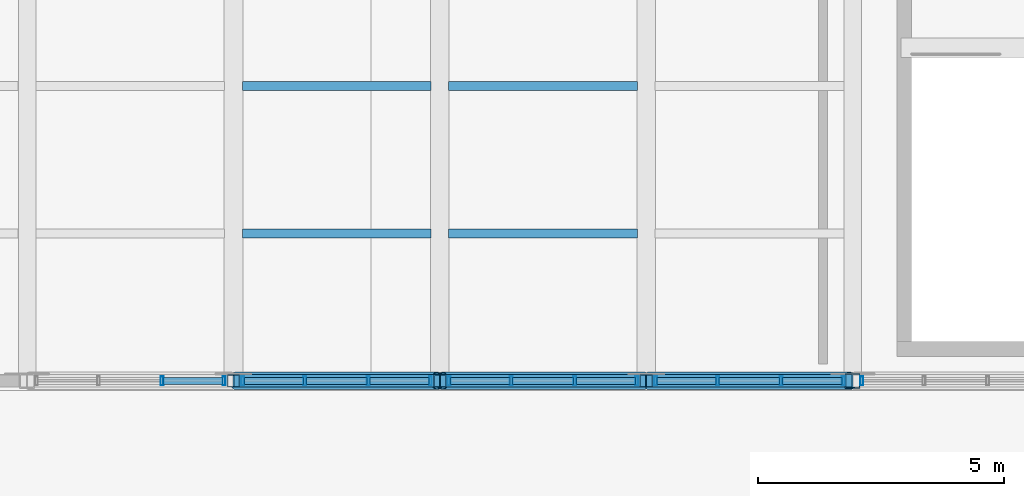
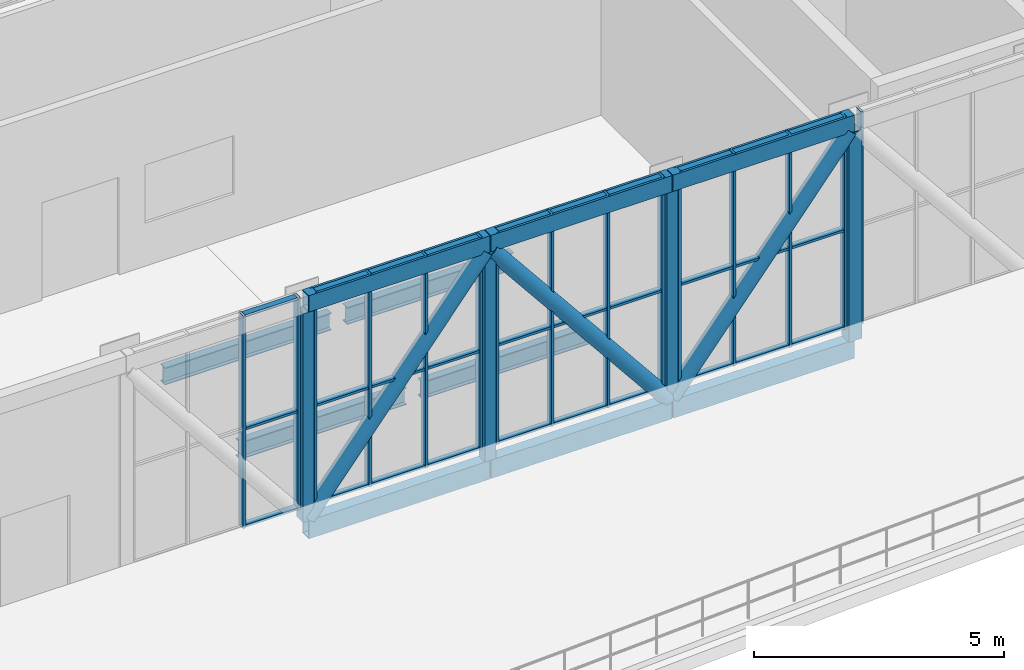
# One storey, part 17 of 58: 58 members, 4 beams, 5 elements without a shape of their own.
"""IFC4 building model written with IfcOpenShell, lengths in metres."""

from ifc_helpers import new_model, si_unit, direction, frame, origin, origin_2d, place, context, subcontext, project, spatial, hollow_rectangle, hollow_circle, i_section, extrude, material, material_profile, profile_set, type_object, element, aggregate, save


model = new_model("IFC4")

# Units and contexts
model_context = context("Model", 3, precision=1e-05, world=origin(), true_north=direction((0.0, 1.0)))
body_context = subcontext(model_context, "Body", "Model", "MODEL_VIEW")
ifc_project = project(units=[si_unit("LENGTHUNIT", "METRE"), si_unit("AREAUNIT", "SQUARE_METRE"), si_unit("VOLUMEUNIT", "CUBIC_METRE"), si_unit("PLANEANGLEUNIT", "RADIAN"), si_unit("MASSUNIT", "GRAM", prefix="KILO")], contexts=[model_context])

# Site, building, storey
site_placement = place(None, origin())
site = spatial("IfcSite", under=ifc_project, at=site_placement, CompositionType="ELEMENT")
building_placement = place(site_placement, origin())
building = spatial("IfcBuilding", under=site, at=building_placement, Name="Khurvash Pelagic Aquarium", CompositionType="ELEMENT")
storey_placement = place(building_placement, frame((0.0, 0.0, 24.60009765625)))
storey = spatial("IfcBuildingStorey", under=building, at=storey_placement, Name="L05", CompositionType="ELEMENT", Elevation=24.60009765625)

# Curtain wall, members
ifc_material_1 = material(Name="Anodised aluminium and low-E laminated glass", Category="aluminium")
curtain_wall_type = type_object("IfcCurtainWallType", Name="CW-01", PredefinedType="USERDEFINED", material=ifc_material_1)
curtain_wall_1_placement = place(storey_placement, origin())
curtain_wall_1 = element("IfcCurtainWall", 1, at=curtain_wall_1_placement, inside=storey, type_object=curtain_wall_type, Name="L05 South Sky-Bar Unitised Curtain Wall CW-01 P08", ObjectType="UNITISED CURTAIN WALL", PredefinedType="USERDEFINED")
ifc_material_2 = material(Name="Extruded aluminium AW-6063-T6", Category="aluminium")
ifc_material_profile_1 = material_profile(ifc_material_2, hollow_rectangle(XDim=0.06005859375, YDim=0.179931640625, WallThickness=0.00390625, at=origin_2d()), Name="CWM60X180X4")
ifc_profile_set_1 = profile_set([ifc_material_profile_1], Name="Extruded aluminium AW-6063-T6")
member_type_1 = type_object("IfcMemberType", Name="CM-01", PredefinedType="MULLION", material=ifc_profile_set_1)
member_1_placement = place(storey_placement, frame((44.74658203125, 11.64990234375, 0.0), z_axis=(0.0, 0.0, 1.0), x_axis=(1.0, 0.0, 0.0)))
member_1 = element("IfcMember", 2, at=member_1_placement, type_object=member_type_1, Name="CW-01 mullion 3", PredefinedType="MULLION", context=body_context, shape_type="SweptSolid", body=[
    extrude(hollow_rectangle(XDim=0.06005859375, YDim=0.179931640625, WallThickness=0.00390625, at=origin_2d()), origin(), (0.0, 0.0, 1.0), 5.179931640625),
])
member_2_placement = place(storey_placement, frame((46.010009765625, 11.64990234375, 0.0), z_axis=(0.0, 0.0, 1.0), x_axis=(1.0, 0.0, 0.0)))
member_2 = element("IfcMember", 3, at=member_2_placement, type_object=member_type_1, Name="CW-01 mullion 4", PredefinedType="MULLION", context=body_context, shape_type="SweptSolid", body=[
    extrude(hollow_rectangle(XDim=0.06005859375, YDim=0.179931640625, WallThickness=0.00390625, at=origin_2d()), origin(), (0.0, 0.0, 1.0), 5.179931640625),
])

curtain_wall_2_placement = place(storey_placement, origin())
curtain_wall_2 = element("IfcCurtainWall", 4, at=curtain_wall_2_placement, inside=storey, type_object=curtain_wall_type, Name="L05 South Sky-Bar Unitised Curtain Wall CW-01 P09", ObjectType="UNITISED CURTAIN WALL", PredefinedType="USERDEFINED")
member_3_placement = place(storey_placement, frame((46.389892578125, 11.64990234375, 0.0), z_axis=(0.0, 0.0, 1.0), x_axis=(1.0, 0.0, 0.0)))
member_3 = element("IfcMember", 5, at=member_3_placement, type_object=member_type_1, Name="CW-01 mullion 1", PredefinedType="MULLION", context=body_context, shape_type="SweptSolid", body=[
    extrude(hollow_rectangle(XDim=0.06005859375, YDim=0.179931640625, WallThickness=0.00390625, at=origin_2d()), origin(), (0.0, 0.0, 1.0), 5.179931640625),
])
member_4_placement = place(storey_placement, frame((47.6533203125, 11.64990234375, 0.0), z_axis=(0.0, 0.0, 1.0), x_axis=(1.0, 0.0, 0.0)))
member_4 = element("IfcMember", 6, at=member_4_placement, type_object=member_type_1, Name="CW-01 mullion 2", PredefinedType="MULLION", context=body_context, shape_type="SweptSolid", body=[
    extrude(hollow_rectangle(XDim=0.06005859375, YDim=0.179931640625, WallThickness=0.00390625, at=origin_2d()), origin(), (0.0, 0.0, 1.0), 5.179931640625),
])
member_5_placement = place(storey_placement, frame((48.94677734375, 11.64990234375, 0.0), z_axis=(0.0, 0.0, 1.0), x_axis=(1.0, 0.0, 0.0)))
member_5 = element("IfcMember", 7, at=member_5_placement, type_object=member_type_1, Name="CW-01 mullion 3", PredefinedType="MULLION", context=body_context, shape_type="SweptSolid", body=[
    extrude(hollow_rectangle(XDim=0.06005859375, YDim=0.179931640625, WallThickness=0.00390625, at=origin_2d()), origin(), (0.0, 0.0, 1.0), 5.179931640625),
])
member_6_placement = place(storey_placement, frame((50.2099609375, 11.64990234375, 0.0), z_axis=(0.0, 0.0, 1.0), x_axis=(1.0, 0.0, 0.0)))
member_6 = element("IfcMember", 8, at=member_6_placement, type_object=member_type_1, Name="CW-01 mullion 4", PredefinedType="MULLION", context=body_context, shape_type="SweptSolid", body=[
    extrude(hollow_rectangle(XDim=0.06005859375, YDim=0.179931640625, WallThickness=0.00390625, at=origin_2d()), origin(), (0.0, 0.0, 1.0), 5.179931640625),
])

curtain_wall_3_placement = place(storey_placement, origin())
curtain_wall_3 = element("IfcCurtainWall", 9, at=curtain_wall_3_placement, inside=storey, type_object=curtain_wall_type, Name="L05 South Sky-Bar Unitised Curtain Wall CW-01 P10", ObjectType="UNITISED CURTAIN WALL", PredefinedType="USERDEFINED")
member_7_placement = place(storey_placement, frame((50.590087890625, 11.64990234375, 0.0), z_axis=(0.0, 0.0, 1.0), x_axis=(1.0, 0.0, 0.0)))
member_7 = element("IfcMember", 10, at=member_7_placement, type_object=member_type_1, Name="CW-01 mullion 1", PredefinedType="MULLION", context=body_context, shape_type="SweptSolid", body=[
    extrude(hollow_rectangle(XDim=0.06005859375, YDim=0.179931640625, WallThickness=0.00390625, at=origin_2d()), origin(), (0.0, 0.0, 1.0), 5.179931640625),
])
member_8_placement = place(storey_placement, frame((51.853271484375, 11.64990234375, 0.0), z_axis=(0.0, 0.0, 1.0), x_axis=(1.0, 0.0, 0.0)))
member_8 = element("IfcMember", 11, at=member_8_placement, type_object=member_type_1, Name="CW-01 mullion 2", PredefinedType="MULLION", context=body_context, shape_type="SweptSolid", body=[
    extrude(hollow_rectangle(XDim=0.06005859375, YDim=0.179931640625, WallThickness=0.00390625, at=origin_2d()), origin(), (0.0, 0.0, 1.0), 5.179931640625),
])
member_9_placement = place(storey_placement, frame((53.146728515625, 11.64990234375, 0.0), z_axis=(0.0, 0.0, 1.0), x_axis=(1.0, 0.0, 0.0)))
member_9 = element("IfcMember", 12, at=member_9_placement, type_object=member_type_1, Name="CW-01 mullion 3", PredefinedType="MULLION", context=body_context, shape_type="SweptSolid", body=[
    extrude(hollow_rectangle(XDim=0.06005859375, YDim=0.179931640625, WallThickness=0.00390625, at=origin_2d()), origin(), (0.0, 0.0, 1.0), 5.179931640625),
])
member_10_placement = place(storey_placement, frame((54.409912109375, 11.64990234375, 0.0), z_axis=(0.0, 0.0, 1.0), x_axis=(1.0, 0.0, 0.0)))
member_10 = element("IfcMember", 13, at=member_10_placement, type_object=member_type_1, Name="CW-01 mullion 4", PredefinedType="MULLION", context=body_context, shape_type="SweptSolid", body=[
    extrude(hollow_rectangle(XDim=0.06005859375, YDim=0.179931640625, WallThickness=0.00390625, at=origin_2d()), origin(), (0.0, 0.0, 1.0), 5.179931640625),
])

curtain_wall_4_placement = place(storey_placement, origin())
curtain_wall_4 = element("IfcCurtainWall", 14, at=curtain_wall_4_placement, inside=storey, type_object=curtain_wall_type, Name="L05 South Sky-Bar Unitised Curtain Wall CW-01 P11", ObjectType="UNITISED CURTAIN WALL", PredefinedType="USERDEFINED")
member_11_placement = place(storey_placement, frame((54.7900390625, 11.64990234375, 0.0), z_axis=(0.0, 0.0, 1.0), x_axis=(1.0, 0.0, 0.0)))
member_11 = element("IfcMember", 15, at=member_11_placement, type_object=member_type_1, Name="CW-01 mullion 1", PredefinedType="MULLION", context=body_context, shape_type="SweptSolid", body=[
    extrude(hollow_rectangle(XDim=0.06005859375, YDim=0.179931640625, WallThickness=0.00390625, at=origin_2d()), origin(), (0.0, 0.0, 1.0), 5.179931640625),
])
member_12_placement = place(storey_placement, frame((56.05322265625, 11.64990234375, 0.0), z_axis=(0.0, 0.0, 1.0), x_axis=(1.0, 0.0, 0.0)))
member_12 = element("IfcMember", 16, at=member_12_placement, type_object=member_type_1, Name="CW-01 mullion 2", PredefinedType="MULLION", context=body_context, shape_type="SweptSolid", body=[
    extrude(hollow_rectangle(XDim=0.06005859375, YDim=0.179931640625, WallThickness=0.00390625, at=origin_2d()), origin(), (0.0, 0.0, 1.0), 5.179931640625),
])
member_13_placement = place(storey_placement, frame((57.3466796875, 11.64990234375, 0.0), z_axis=(0.0, 0.0, 1.0), x_axis=(1.0, 0.0, 0.0)))
member_13 = element("IfcMember", 17, at=member_13_placement, type_object=member_type_1, Name="CW-01 mullion 3", PredefinedType="MULLION", context=body_context, shape_type="SweptSolid", body=[
    extrude(hollow_rectangle(XDim=0.06005859375, YDim=0.179931640625, WallThickness=0.00390625, at=origin_2d()), origin(), (0.0, 0.0, 1.0), 5.179931640625),
])
member_14_placement = place(storey_placement, frame((58.610107421875, 11.64990234375, 0.0), z_axis=(0.0, 0.0, 1.0), x_axis=(1.0, 0.0, 0.0)))
member_14 = element("IfcMember", 18, at=member_14_placement, type_object=member_type_1, Name="CW-01 mullion 4", PredefinedType="MULLION", context=body_context, shape_type="SweptSolid", body=[
    extrude(hollow_rectangle(XDim=0.06005859375, YDim=0.179931640625, WallThickness=0.00390625, at=origin_2d()), origin(), (0.0, 0.0, 1.0), 5.179931640625),
])

# Curtain wall, member
curtain_wall_5_placement = place(storey_placement, origin())
curtain_wall_5 = element("IfcCurtainWall", 19, at=curtain_wall_5_placement, inside=storey, type_object=curtain_wall_type, Name="L05 South Sky-Bar Unitised Curtain Wall CW-01 P12", ObjectType="UNITISED CURTAIN WALL", PredefinedType="USERDEFINED")
member_15_placement = place(storey_placement, frame((58.989990234375, 11.64990234375, 0.0), z_axis=(0.0, 0.0, 1.0), x_axis=(1.0, 0.0, 0.0)))
member_15 = element("IfcMember", 20, at=member_15_placement, type_object=member_type_1, Name="CW-01 mullion 1", PredefinedType="MULLION", context=body_context, shape_type="SweptSolid", body=[
    extrude(hollow_rectangle(XDim=0.06005859375, YDim=0.179931640625, WallThickness=0.00390625, at=origin_2d()), origin(), (0.0, 0.0, 1.0), 5.179931640625),
])
aggregate(curtain_wall_5, [member_15])

# Member
ifc_material_profile_2 = material_profile(ifc_material_2, hollow_rectangle(XDim=0.139892578125, YDim=0.06005859375, WallThickness=0.00390625, at=origin_2d()), Name="CWT140X60X4")
ifc_profile_set_2 = profile_set([ifc_material_profile_2], Name="Extruded aluminium AW-6063-T6")
member_type_2 = type_object("IfcMemberType", Name="CT-01", PredefinedType="USERDEFINED", material=ifc_profile_set_2)
member_16_placement = place(storey_placement, frame((44.776611328125, 11.64990234375, 0.02978515625), z_axis=(1.0, 0.0, 0.0), x_axis=(0.0, 1.0, 0.0)))
member_16 = element("IfcMember", 21, at=member_16_placement, type_object=member_type_2, Name="CW-01 transom 3.1", ObjectType="TRANSOM", PredefinedType="USERDEFINED", context=body_context, shape_type="SweptSolid", body=[
    extrude(hollow_rectangle(XDim=0.139892578125, YDim=0.06005859375, WallThickness=0.00390625, at=origin_2d()), origin(), (0.0, 0.0, 1.0), 1.203369140625),
])

member_17_placement = place(storey_placement, frame((44.776611328125, 11.64990234375, 2.39990234375), z_axis=(1.0, 0.0, 0.0), x_axis=(0.0, 1.0, 0.0)))
member_17 = element("IfcMember", 22, at=member_17_placement, type_object=member_type_2, Name="CW-01 transom 3.2", ObjectType="TRANSOM", PredefinedType="USERDEFINED", context=body_context, shape_type="SweptSolid", body=[
    extrude(hollow_rectangle(XDim=0.139892578125, YDim=0.06005859375, WallThickness=0.00390625, at=origin_2d()), origin(), (0.0, 0.0, 1.0), 1.203369140625),
])

member_18_placement = place(storey_placement, frame((44.776611328125, 11.64990234375, 5.14990234375), z_axis=(1.0, 0.0, 0.0), x_axis=(0.0, 1.0, 0.0)))
member_18 = element("IfcMember", 23, at=member_18_placement, type_object=member_type_2, Name="CW-01 transom 3.3", ObjectType="TRANSOM", PredefinedType="USERDEFINED", context=body_context, shape_type="SweptSolid", body=[
    extrude(hollow_rectangle(XDim=0.139892578125, YDim=0.06005859375, WallThickness=0.00390625, at=origin_2d()), origin(), (0.0, 0.0, 1.0), 1.203369140625),
])

aggregate(curtain_wall_1, [member_1, member_2, member_16, member_17, member_18])

member_19_placement = place(storey_placement, frame((46.419921875, 11.64990234375, 0.02978515625), z_axis=(1.0, 0.0, 0.0), x_axis=(0.0, 1.0, 0.0)))
member_19 = element("IfcMember", 24, at=member_19_placement, type_object=member_type_2, Name="CW-01 transom 1.1", ObjectType="TRANSOM", PredefinedType="USERDEFINED", context=body_context, shape_type="SweptSolid", body=[
    extrude(hollow_rectangle(XDim=0.139892578125, YDim=0.06005859375, WallThickness=0.00390625, at=origin_2d()), origin(), (0.0, 0.0, 1.0), 1.203369140625),
])

member_20_placement = place(storey_placement, frame((46.419921875, 11.64990234375, 2.39990234375), z_axis=(1.0, 0.0, 0.0), x_axis=(0.0, 1.0, 0.0)))
member_20 = element("IfcMember", 25, at=member_20_placement, type_object=member_type_2, Name="CW-01 transom 1.2", ObjectType="TRANSOM", PredefinedType="USERDEFINED", context=body_context, shape_type="SweptSolid", body=[
    extrude(hollow_rectangle(XDim=0.139892578125, YDim=0.06005859375, WallThickness=0.00390625, at=origin_2d()), origin(), (0.0, 0.0, 1.0), 1.203369140625),
])

member_21_placement = place(storey_placement, frame((46.419921875, 11.64990234375, 5.14990234375), z_axis=(1.0, 0.0, 0.0), x_axis=(0.0, 1.0, 0.0)))
member_21 = element("IfcMember", 26, at=member_21_placement, type_object=member_type_2, Name="CW-01 transom 1.3", ObjectType="TRANSOM", PredefinedType="USERDEFINED", context=body_context, shape_type="SweptSolid", body=[
    extrude(hollow_rectangle(XDim=0.139892578125, YDim=0.06005859375, WallThickness=0.00390625, at=origin_2d()), origin(), (0.0, 0.0, 1.0), 1.203369140625),
])

member_22_placement = place(storey_placement, frame((47.683349609375, 11.64990234375, 0.02978515625), z_axis=(1.0, 0.0, 0.0), x_axis=(0.0, 1.0, 0.0)))
member_22 = element("IfcMember", 27, at=member_22_placement, type_object=member_type_2, Name="CW-01 transom 2.1", ObjectType="TRANSOM", PredefinedType="USERDEFINED", context=body_context, shape_type="SweptSolid", body=[
    extrude(hollow_rectangle(XDim=0.139892578125, YDim=0.06005859375, WallThickness=0.00390625, at=origin_2d()), origin(), (0.0, 0.0, 1.0), 1.2333984375),
])

member_23_placement = place(storey_placement, frame((47.683349609375, 11.64990234375, 2.39990234375), z_axis=(1.0, 0.0, 0.0), x_axis=(0.0, 1.0, 0.0)))
member_23 = element("IfcMember", 28, at=member_23_placement, type_object=member_type_2, Name="CW-01 transom 2.2", ObjectType="TRANSOM", PredefinedType="USERDEFINED", context=body_context, shape_type="SweptSolid", body=[
    extrude(hollow_rectangle(XDim=0.139892578125, YDim=0.06005859375, WallThickness=0.00390625, at=origin_2d()), origin(), (0.0, 0.0, 1.0), 1.2333984375),
])

member_24_placement = place(storey_placement, frame((47.683349609375, 11.64990234375, 5.14990234375), z_axis=(1.0, 0.0, 0.0), x_axis=(0.0, 1.0, 0.0)))
member_24 = element("IfcMember", 29, at=member_24_placement, type_object=member_type_2, Name="CW-01 transom 2.3", ObjectType="TRANSOM", PredefinedType="USERDEFINED", context=body_context, shape_type="SweptSolid", body=[
    extrude(hollow_rectangle(XDim=0.139892578125, YDim=0.06005859375, WallThickness=0.00390625, at=origin_2d()), origin(), (0.0, 0.0, 1.0), 1.2333984375),
])

member_25_placement = place(storey_placement, frame((48.9765625, 11.64990234375, 0.02978515625), z_axis=(1.0, 0.0, 0.0), x_axis=(0.0, 1.0, 0.0)))
member_25 = element("IfcMember", 30, at=member_25_placement, type_object=member_type_2, Name="CW-01 transom 3.1", ObjectType="TRANSOM", PredefinedType="USERDEFINED", context=body_context, shape_type="SweptSolid", body=[
    extrude(hollow_rectangle(XDim=0.139892578125, YDim=0.06005859375, WallThickness=0.00390625, at=origin_2d()), origin(), (0.0, 0.0, 1.0), 1.203369140625),
])

member_26_placement = place(storey_placement, frame((48.9765625, 11.64990234375, 2.39990234375), z_axis=(1.0, 0.0, 0.0), x_axis=(0.0, 1.0, 0.0)))
member_26 = element("IfcMember", 31, at=member_26_placement, type_object=member_type_2, Name="CW-01 transom 3.2", ObjectType="TRANSOM", PredefinedType="USERDEFINED", context=body_context, shape_type="SweptSolid", body=[
    extrude(hollow_rectangle(XDim=0.139892578125, YDim=0.06005859375, WallThickness=0.00390625, at=origin_2d()), origin(), (0.0, 0.0, 1.0), 1.203369140625),
])

member_27_placement = place(storey_placement, frame((48.9765625, 11.64990234375, 5.14990234375), z_axis=(1.0, 0.0, 0.0), x_axis=(0.0, 1.0, 0.0)))
member_27 = element("IfcMember", 32, at=member_27_placement, type_object=member_type_2, Name="CW-01 transom 3.3", ObjectType="TRANSOM", PredefinedType="USERDEFINED", context=body_context, shape_type="SweptSolid", body=[
    extrude(hollow_rectangle(XDim=0.139892578125, YDim=0.06005859375, WallThickness=0.00390625, at=origin_2d()), origin(), (0.0, 0.0, 1.0), 1.203369140625),
])

aggregate(curtain_wall_2, [member_3, member_4, member_5, member_6, member_19, member_20, member_21, member_22, member_23, member_24, member_25, member_26, member_27])

member_28_placement = place(storey_placement, frame((50.6201171875, 11.64990234375, 0.02978515625), z_axis=(1.0, 0.0, 0.0), x_axis=(0.0, 1.0, 0.0)))
member_28 = element("IfcMember", 33, at=member_28_placement, type_object=member_type_2, Name="CW-01 transom 1.1", ObjectType="TRANSOM", PredefinedType="USERDEFINED", context=body_context, shape_type="SweptSolid", body=[
    extrude(hollow_rectangle(XDim=0.139892578125, YDim=0.06005859375, WallThickness=0.00390625, at=origin_2d()), origin(), (0.0, 0.0, 1.0), 1.203125),
])

member_29_placement = place(storey_placement, frame((50.6201171875, 11.64990234375, 2.39990234375), z_axis=(1.0, 0.0, 0.0), x_axis=(0.0, 1.0, 0.0)))
member_29 = element("IfcMember", 34, at=member_29_placement, type_object=member_type_2, Name="CW-01 transom 1.2", ObjectType="TRANSOM", PredefinedType="USERDEFINED", context=body_context, shape_type="SweptSolid", body=[
    extrude(hollow_rectangle(XDim=0.139892578125, YDim=0.06005859375, WallThickness=0.00390625, at=origin_2d()), origin(), (0.0, 0.0, 1.0), 1.203125),
])

member_30_placement = place(storey_placement, frame((50.6201171875, 11.64990234375, 5.14990234375), z_axis=(1.0, 0.0, 0.0), x_axis=(0.0, 1.0, 0.0)))
member_30 = element("IfcMember", 35, at=member_30_placement, type_object=member_type_2, Name="CW-01 transom 1.3", ObjectType="TRANSOM", PredefinedType="USERDEFINED", context=body_context, shape_type="SweptSolid", body=[
    extrude(hollow_rectangle(XDim=0.139892578125, YDim=0.06005859375, WallThickness=0.00390625, at=origin_2d()), origin(), (0.0, 0.0, 1.0), 1.203125),
])

member_31_placement = place(storey_placement, frame((51.88330078125, 11.64990234375, 0.02978515625), z_axis=(1.0, 0.0, 0.0), x_axis=(0.0, 1.0, 0.0)))
member_31 = element("IfcMember", 36, at=member_31_placement, type_object=member_type_2, Name="CW-01 transom 2.1", ObjectType="TRANSOM", PredefinedType="USERDEFINED", context=body_context, shape_type="SweptSolid", body=[
    extrude(hollow_rectangle(XDim=0.139892578125, YDim=0.06005859375, WallThickness=0.00390625, at=origin_2d()), origin(), (0.0, 0.0, 1.0), 1.2333984375),
])

member_32_placement = place(storey_placement, frame((51.88330078125, 11.64990234375, 2.39990234375), z_axis=(1.0, 0.0, 0.0), x_axis=(0.0, 1.0, 0.0)))
member_32 = element("IfcMember", 37, at=member_32_placement, type_object=member_type_2, Name="CW-01 transom 2.2", ObjectType="TRANSOM", PredefinedType="USERDEFINED", context=body_context, shape_type="SweptSolid", body=[
    extrude(hollow_rectangle(XDim=0.139892578125, YDim=0.06005859375, WallThickness=0.00390625, at=origin_2d()), origin(), (0.0, 0.0, 1.0), 1.2333984375),
])

member_33_placement = place(storey_placement, frame((51.88330078125, 11.64990234375, 5.14990234375), z_axis=(1.0, 0.0, 0.0), x_axis=(0.0, 1.0, 0.0)))
member_33 = element("IfcMember", 38, at=member_33_placement, type_object=member_type_2, Name="CW-01 transom 2.3", ObjectType="TRANSOM", PredefinedType="USERDEFINED", context=body_context, shape_type="SweptSolid", body=[
    extrude(hollow_rectangle(XDim=0.139892578125, YDim=0.06005859375, WallThickness=0.00390625, at=origin_2d()), origin(), (0.0, 0.0, 1.0), 1.2333984375),
])

member_34_placement = place(storey_placement, frame((53.1767578125, 11.64990234375, 0.02978515625), z_axis=(1.0, 0.0, 0.0), x_axis=(0.0, 1.0, 0.0)))
member_34 = element("IfcMember", 39, at=member_34_placement, type_object=member_type_2, Name="CW-01 transom 3.1", ObjectType="TRANSOM", PredefinedType="USERDEFINED", context=body_context, shape_type="SweptSolid", body=[
    extrude(hollow_rectangle(XDim=0.139892578125, YDim=0.06005859375, WallThickness=0.00390625, at=origin_2d()), origin(), (0.0, 0.0, 1.0), 1.203125),
])

member_35_placement = place(storey_placement, frame((53.1767578125, 11.64990234375, 2.39990234375), z_axis=(1.0, 0.0, 0.0), x_axis=(0.0, 1.0, 0.0)))
member_35 = element("IfcMember", 40, at=member_35_placement, type_object=member_type_2, Name="CW-01 transom 3.2", ObjectType="TRANSOM", PredefinedType="USERDEFINED", context=body_context, shape_type="SweptSolid", body=[
    extrude(hollow_rectangle(XDim=0.139892578125, YDim=0.06005859375, WallThickness=0.00390625, at=origin_2d()), origin(), (0.0, 0.0, 1.0), 1.203125),
])

member_36_placement = place(storey_placement, frame((53.1767578125, 11.64990234375, 5.14990234375), z_axis=(1.0, 0.0, 0.0), x_axis=(0.0, 1.0, 0.0)))
member_36 = element("IfcMember", 41, at=member_36_placement, type_object=member_type_2, Name="CW-01 transom 3.3", ObjectType="TRANSOM", PredefinedType="USERDEFINED", context=body_context, shape_type="SweptSolid", body=[
    extrude(hollow_rectangle(XDim=0.139892578125, YDim=0.06005859375, WallThickness=0.00390625, at=origin_2d()), origin(), (0.0, 0.0, 1.0), 1.203125),
])

aggregate(curtain_wall_3, [member_7, member_8, member_9, member_10, member_28, member_29, member_30, member_31, member_32, member_33, member_34, member_35, member_36])

member_37_placement = place(storey_placement, frame((54.820068359375, 11.64990234375, 0.02978515625), z_axis=(1.0, 0.0, 0.0), x_axis=(0.0, 1.0, 0.0)))
member_37 = element("IfcMember", 42, at=member_37_placement, type_object=member_type_2, Name="CW-01 transom 1.1", ObjectType="TRANSOM", PredefinedType="USERDEFINED", context=body_context, shape_type="SweptSolid", body=[
    extrude(hollow_rectangle(XDim=0.139892578125, YDim=0.06005859375, WallThickness=0.00390625, at=origin_2d()), origin(), (0.0, 0.0, 1.0), 1.203369140625),
])

member_38_placement = place(storey_placement, frame((54.820068359375, 11.64990234375, 2.39990234375), z_axis=(1.0, 0.0, 0.0), x_axis=(0.0, 1.0, 0.0)))
member_38 = element("IfcMember", 43, at=member_38_placement, type_object=member_type_2, Name="CW-01 transom 1.2", ObjectType="TRANSOM", PredefinedType="USERDEFINED", context=body_context, shape_type="SweptSolid", body=[
    extrude(hollow_rectangle(XDim=0.139892578125, YDim=0.06005859375, WallThickness=0.00390625, at=origin_2d()), origin(), (0.0, 0.0, 1.0), 1.203369140625),
])

member_39_placement = place(storey_placement, frame((54.820068359375, 11.64990234375, 5.14990234375), z_axis=(1.0, 0.0, 0.0), x_axis=(0.0, 1.0, 0.0)))
member_39 = element("IfcMember", 44, at=member_39_placement, type_object=member_type_2, Name="CW-01 transom 1.3", ObjectType="TRANSOM", PredefinedType="USERDEFINED", context=body_context, shape_type="SweptSolid", body=[
    extrude(hollow_rectangle(XDim=0.139892578125, YDim=0.06005859375, WallThickness=0.00390625, at=origin_2d()), origin(), (0.0, 0.0, 1.0), 1.203369140625),
])

member_40_placement = place(storey_placement, frame((56.083251953125, 11.64990234375, 0.02978515625), z_axis=(1.0, 0.0, 0.0), x_axis=(0.0, 1.0, 0.0)))
member_40 = element("IfcMember", 45, at=member_40_placement, type_object=member_type_2, Name="CW-01 transom 2.1", ObjectType="TRANSOM", PredefinedType="USERDEFINED", context=body_context, shape_type="SweptSolid", body=[
    extrude(hollow_rectangle(XDim=0.139892578125, YDim=0.06005859375, WallThickness=0.00390625, at=origin_2d()), origin(), (0.0, 0.0, 1.0), 1.2333984375),
])

member_41_placement = place(storey_placement, frame((56.083251953125, 11.64990234375, 2.39990234375), z_axis=(1.0, 0.0, 0.0), x_axis=(0.0, 1.0, 0.0)))
member_41 = element("IfcMember", 46, at=member_41_placement, type_object=member_type_2, Name="CW-01 transom 2.2", ObjectType="TRANSOM", PredefinedType="USERDEFINED", context=body_context, shape_type="SweptSolid", body=[
    extrude(hollow_rectangle(XDim=0.139892578125, YDim=0.06005859375, WallThickness=0.00390625, at=origin_2d()), origin(), (0.0, 0.0, 1.0), 1.2333984375),
])

member_42_placement = place(storey_placement, frame((56.083251953125, 11.64990234375, 5.14990234375), z_axis=(1.0, 0.0, 0.0), x_axis=(0.0, 1.0, 0.0)))
member_42 = element("IfcMember", 47, at=member_42_placement, type_object=member_type_2, Name="CW-01 transom 2.3", ObjectType="TRANSOM", PredefinedType="USERDEFINED", context=body_context, shape_type="SweptSolid", body=[
    extrude(hollow_rectangle(XDim=0.139892578125, YDim=0.06005859375, WallThickness=0.00390625, at=origin_2d()), origin(), (0.0, 0.0, 1.0), 1.2333984375),
])

member_43_placement = place(storey_placement, frame((57.376708984375, 11.64990234375, 0.02978515625), z_axis=(1.0, 0.0, 0.0), x_axis=(0.0, 1.0, 0.0)))
member_43 = element("IfcMember", 48, at=member_43_placement, type_object=member_type_2, Name="CW-01 transom 3.1", ObjectType="TRANSOM", PredefinedType="USERDEFINED", context=body_context, shape_type="SweptSolid", body=[
    extrude(hollow_rectangle(XDim=0.139892578125, YDim=0.06005859375, WallThickness=0.00390625, at=origin_2d()), origin(), (0.0, 0.0, 1.0), 1.203369140625),
])

member_44_placement = place(storey_placement, frame((57.376708984375, 11.64990234375, 2.39990234375), z_axis=(1.0, 0.0, 0.0), x_axis=(0.0, 1.0, 0.0)))
member_44 = element("IfcMember", 49, at=member_44_placement, type_object=member_type_2, Name="CW-01 transom 3.2", ObjectType="TRANSOM", PredefinedType="USERDEFINED", context=body_context, shape_type="SweptSolid", body=[
    extrude(hollow_rectangle(XDim=0.139892578125, YDim=0.06005859375, WallThickness=0.00390625, at=origin_2d()), origin(), (0.0, 0.0, 1.0), 1.203369140625),
])

member_45_placement = place(storey_placement, frame((57.376708984375, 11.64990234375, 5.14990234375), z_axis=(1.0, 0.0, 0.0), x_axis=(0.0, 1.0, 0.0)))
member_45 = element("IfcMember", 50, at=member_45_placement, type_object=member_type_2, Name="CW-01 transom 3.3", ObjectType="TRANSOM", PredefinedType="USERDEFINED", context=body_context, shape_type="SweptSolid", body=[
    extrude(hollow_rectangle(XDim=0.139892578125, YDim=0.06005859375, WallThickness=0.00390625, at=origin_2d()), origin(), (0.0, 0.0, 1.0), 1.203369140625),
])

aggregate(curtain_wall_4, [member_11, member_12, member_13, member_14, member_37, member_38, member_39, member_40, member_41, member_42, member_43, member_44, member_45])

# Beams
ifc_material_3 = material(Name="Steel ASTM A992 Grade 50", Category="steel")
ifc_material_profile_3 = material_profile(ifc_material_3, i_section(OverallWidth=0.180908203125, OverallDepth=0.4169921875, WebThickness=0.010986328125, FlangeThickness=0.018310546875, at=origin_2d()), Name="W16X57")
ifc_profile_set_3 = profile_set([ifc_material_profile_3], Name="Steel ASTM A992 Grade 50")
beam_type = type_object("IfcBeamType", Name="JS-03", PredefinedType="JOIST", material=ifc_profile_set_3)
for number, where, z_axis, x_axis, name in (
    (51, (46.3798828125, 14.64990234375, -0.508544921875), (1.0, 0.0, 0.0), (0.0, 1.0, 0.0), "L05 Sky-Bar Floor Joist JS-03 P09"),
    (52, (46.3798828125, 17.64990234375, -0.508544921875), (1.0, 0.0, 0.0), (0.0, 1.0, 0.0), "L05 Sky-Bar Floor Joist JS-03 P09"),
):
    element("IfcBeam", number, at=place(storey_placement, frame(where, z_axis=z_axis, x_axis=x_axis)), inside=storey, type_object=beam_type, Name=name, PredefinedType="JOIST", context=body_context, shape_type="SweptSolid", body=[
        extrude(i_section(OverallWidth=0.180908203125, OverallDepth=0.4169921875, WebThickness=0.010986328125, FlangeThickness=0.018310546875, at=origin_2d()), origin(), (0.0, 0.0, 1.0), 3.840087890625),
    ])
for number, where, z_axis, x_axis, name in (
    (53, (50.580078125, 14.64990234375, -0.508544921875), (1.0, 0.0, 0.0), (0.0, 1.0, 0.0), "L05 Sky-Bar Floor Joist JS-03 P10"),
    (54, (50.580078125, 17.64990234375, -0.508544921875), (1.0, 0.0, 0.0), (0.0, 1.0, 0.0), "L05 Sky-Bar Floor Joist JS-03 P10"),
):
    element("IfcBeam", number, at=place(storey_placement, frame(where, z_axis=z_axis, x_axis=x_axis)), inside=storey, type_object=beam_type, Name=name, PredefinedType="JOIST", context=body_context, shape_type="SweptSolid", body=[
        extrude(i_section(OverallWidth=0.180908203125, OverallDepth=0.4169921875, WebThickness=0.010986328125, FlangeThickness=0.018310546875, at=origin_2d()), origin(), (0.0, 0.0, 1.0), 3.83984375),
    ])

# Members
ifc_material_4 = material(Name="Steel S355J2", Category="steel")
ifc_material_profile_4 = material_profile(ifc_material_4, hollow_rectangle(XDim=0.25, YDim=0.449951171875, WallThickness=0.02001953125, at=origin_2d()), Name="RHS450X250X20")
ifc_profile_set_4 = profile_set([ifc_material_profile_4], Name="Steel S355J2")
member_type_3 = type_object("IfcMemberType", Name="TC-01", PredefinedType="CHORD", material=ifc_profile_set_4)
member_46_placement = place(storey_placement, frame((46.2099609375, 11.64990234375, -0.525146484375), z_axis=(1.0, 0.0, 0.0), x_axis=(0.0, 1.0, 0.0)))
element("IfcMember", 55, at=member_46_placement, inside=storey, type_object=member_type_3, Name="L05 South Sky-Bar Warren Truss Bottom Chord TC-01 P09", PredefinedType="CHORD", context=body_context, shape_type="SweptSolid", body=[
    extrude(hollow_rectangle(XDim=0.25, YDim=0.449951171875, WallThickness=0.02001953125, at=origin_2d()), origin(), (0.0, 0.0, 1.0), 4.179931640625),
])
member_47_placement = place(storey_placement, frame((50.409912109375, 11.64990234375, -0.525146484375), z_axis=(1.0, 0.0, 0.0), x_axis=(0.0, 1.0, 0.0)))
element("IfcMember", 56, at=member_47_placement, inside=storey, type_object=member_type_3, Name="L05 South Sky-Bar Warren Truss Bottom Chord TC-01 P10", PredefinedType="CHORD", context=body_context, shape_type="SweptSolid", body=[
    extrude(hollow_rectangle(XDim=0.25, YDim=0.449951171875, WallThickness=0.02001953125, at=origin_2d()), origin(), (0.0, 0.0, 1.0), 4.18017578125),
])
member_48_placement = place(storey_placement, frame((54.610107421875, 11.64990234375, -0.525146484375), z_axis=(1.0, 0.0, 0.0), x_axis=(0.0, 1.0, 0.0)))
element("IfcMember", 57, at=member_48_placement, inside=storey, type_object=member_type_3, Name="L05 South Sky-Bar Warren Truss Bottom Chord TC-01 P11", PredefinedType="CHORD", context=body_context, shape_type="SweptSolid", body=[
    extrude(hollow_rectangle(XDim=0.25, YDim=0.449951171875, WallThickness=0.02001953125, at=origin_2d()), origin(), (0.0, 0.0, 1.0), 4.179931640625),
])
ifc_material_profile_5 = material_profile(ifc_material_4, hollow_rectangle(XDim=0.25, YDim=0.39990234375, WallThickness=0.01611328125, at=origin_2d()), Name="RHS400X250X16")
ifc_profile_set_5 = profile_set([ifc_material_profile_5], Name="Steel S355J2")
member_type_4 = type_object("IfcMemberType", Name="TC-02", PredefinedType="CHORD", material=ifc_profile_set_5)
member_49_placement = place(storey_placement, frame((46.2099609375, 11.64990234375, 4.97998046875), z_axis=(1.0, 0.0, 0.0), x_axis=(0.0, 1.0, 0.0)))
element("IfcMember", 58, at=member_49_placement, inside=storey, type_object=member_type_4, Name="L05 South Sky-Bar Warren Truss Top Chord TC-02 P09", PredefinedType="CHORD", context=body_context, shape_type="SweptSolid", body=[
    extrude(hollow_rectangle(XDim=0.25, YDim=0.39990234375, WallThickness=0.01611328125, at=origin_2d()), origin(), (0.0, 0.0, 1.0), 4.179931640625),
])
member_50_placement = place(storey_placement, frame((50.409912109375, 11.64990234375, 4.97998046875), z_axis=(1.0, 0.0, 0.0), x_axis=(0.0, 1.0, 0.0)))
element("IfcMember", 59, at=member_50_placement, inside=storey, type_object=member_type_4, Name="L05 South Sky-Bar Warren Truss Top Chord TC-02 P10", PredefinedType="CHORD", context=body_context, shape_type="SweptSolid", body=[
    extrude(hollow_rectangle(XDim=0.25, YDim=0.39990234375, WallThickness=0.01611328125, at=origin_2d()), origin(), (0.0, 0.0, 1.0), 4.18017578125),
])
member_51_placement = place(storey_placement, frame((54.610107421875, 11.64990234375, 4.97998046875), z_axis=(1.0, 0.0, 0.0), x_axis=(0.0, 1.0, 0.0)))
element("IfcMember", 60, at=member_51_placement, inside=storey, type_object=member_type_4, Name="L05 South Sky-Bar Warren Truss Top Chord TC-02 P11", PredefinedType="CHORD", context=body_context, shape_type="SweptSolid", body=[
    extrude(hollow_rectangle(XDim=0.25, YDim=0.39990234375, WallThickness=0.01611328125, at=origin_2d()), origin(), (0.0, 0.0, 1.0), 4.179931640625),
])
ifc_material_profile_6 = material_profile(ifc_material_4, hollow_circle(Radius=0.177734375, WallThickness=0.01416015625, at=origin_2d()), Name="CHS355X14")
ifc_profile_set_6 = profile_set([ifc_material_profile_6], Name="Steel S355J2")
member_type_5 = type_object("IfcMemberType", Name="TD-02", PredefinedType="BRACE", material=ifc_profile_set_6)
for number, where, z_axis, x_axis, name in (
    (61, (46.25, 11.64990234375, -0.300048828125), (0.628073304864, 0.0, 0.778154177343), (0.0, 1.0, 0.0), "L05 South Sky-Bar Warren Truss Diagonal TD-02 P09"),
    (62, (50.449951171875, 11.64990234375, 4.77978515625), (0.628073304864, 0.0, -0.778154177343), (0.0, 1.0, 0.0), "L05 South Sky-Bar Warren Truss Diagonal TD-02 P10"),
    (63, (54.64990234375, 11.64990234375, -0.300048828125), (0.628073304864, 0.0, 0.778154177343), (0.0, 1.0, 0.0), "L05 South Sky-Bar Warren Truss Diagonal TD-02 P11"),
):
    element("IfcMember", number, at=place(storey_placement, frame(where, z_axis=z_axis, x_axis=x_axis)), inside=storey, type_object=member_type_5, Name=name, PredefinedType="BRACE", context=body_context, shape_type="SweptSolid", body=[
        extrude(hollow_circle(Radius=0.177734375, WallThickness=0.01416015625, at=origin_2d()), origin(), (0.0, 0.0, 1.0), 6.528076171875),
    ])
ifc_material_profile_7 = material_profile(ifc_material_4, hollow_rectangle(XDim=0.300048828125, YDim=0.300048828125, WallThickness=0.01611328125, at=origin_2d()), Name="SHS300X300X16")
ifc_profile_set_7 = profile_set([ifc_material_profile_7], Name="Steel S355J2")
member_type_6 = type_object("IfcMemberType", Name="TV-01", PredefinedType="POST", material=ifc_profile_set_7)
member_52_placement = place(storey_placement, frame((58.800048828125, 11.64990234375, -0.300048828125), z_axis=(0.0, 0.0, 1.0), x_axis=(1.0, 0.0, 0.0)))
element("IfcMember", 64, at=member_52_placement, inside=storey, type_object=member_type_6, Name="L05 South Sky-Bar Truss Post TV-01 N12", PredefinedType="POST", context=body_context, shape_type="SweptSolid", body=[
    extrude(hollow_rectangle(XDim=0.300048828125, YDim=0.300048828125, WallThickness=0.01611328125, at=origin_2d()), origin(), (0.0, 0.0, 1.0), 5.079833984375),
])
ifc_material_profile_8 = material_profile(ifc_material_4, hollow_rectangle(XDim=0.25, YDim=0.25, WallThickness=0.012451171875, at=origin_2d()), Name="SHS250X250X12")
ifc_profile_set_8 = profile_set([ifc_material_profile_8], Name="Steel S355J2")
member_type_7 = type_object("IfcMemberType", Name="TV-02", PredefinedType="POST", material=ifc_profile_set_8)
for number, where, z_axis, x_axis, name in (
    (65, (46.199951171875, 11.64990234375, -0.300048828125), (0.0, 0.0, 1.0), (1.0, 0.0, 0.0), "L05 South Sky-Bar Truss Post TV-02 N09"),
    (66, (50.39990234375, 11.64990234375, -0.300048828125), (0.0, 0.0, 1.0), (1.0, 0.0, 0.0), "L05 South Sky-Bar Truss Post TV-02 N10"),
    (67, (54.60009765625, 11.64990234375, -0.300048828125), (0.0, 0.0, 1.0), (1.0, 0.0, 0.0), "L05 South Sky-Bar Truss Post TV-02 N11"),
):
    element("IfcMember", number, at=place(storey_placement, frame(where, z_axis=z_axis, x_axis=x_axis)), inside=storey, type_object=member_type_7, Name=name, PredefinedType="POST", context=body_context, shape_type="SweptSolid", body=[
        extrude(hollow_rectangle(XDim=0.25, YDim=0.25, WallThickness=0.012451171875, at=origin_2d()), origin(), (0.0, 0.0, 1.0), 5.079833984375),
    ])

save(model, "model.ifc")
